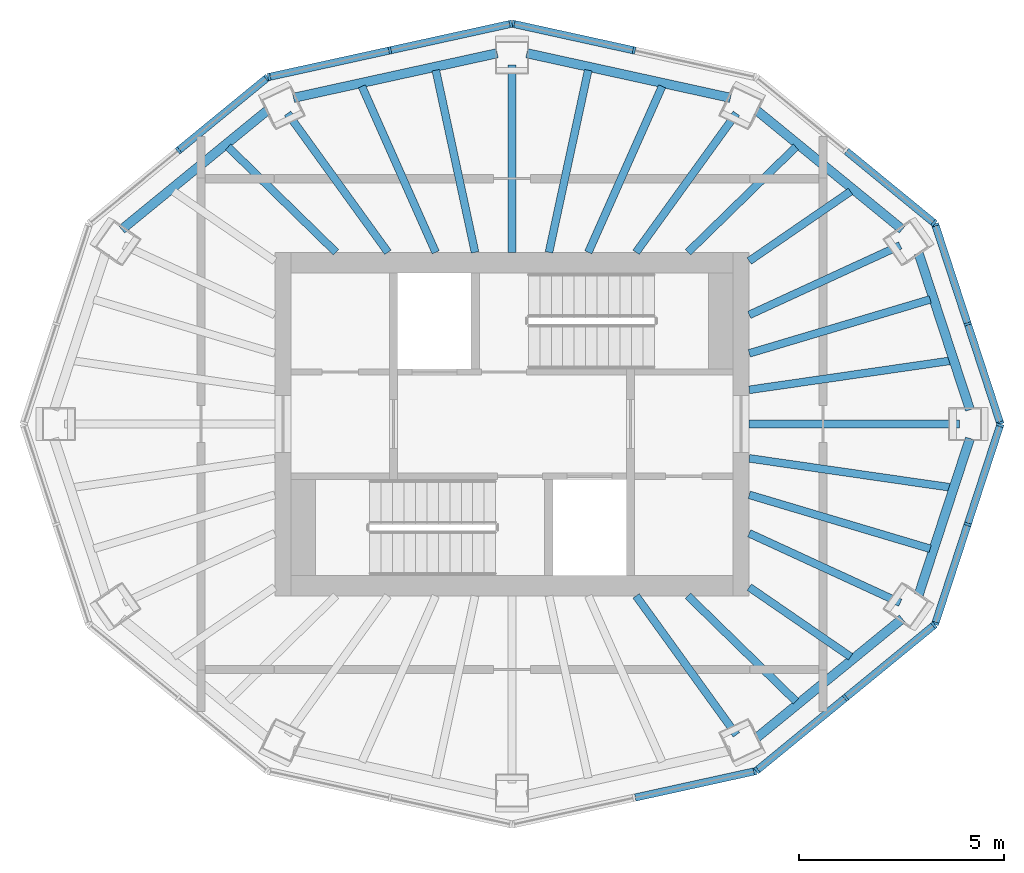
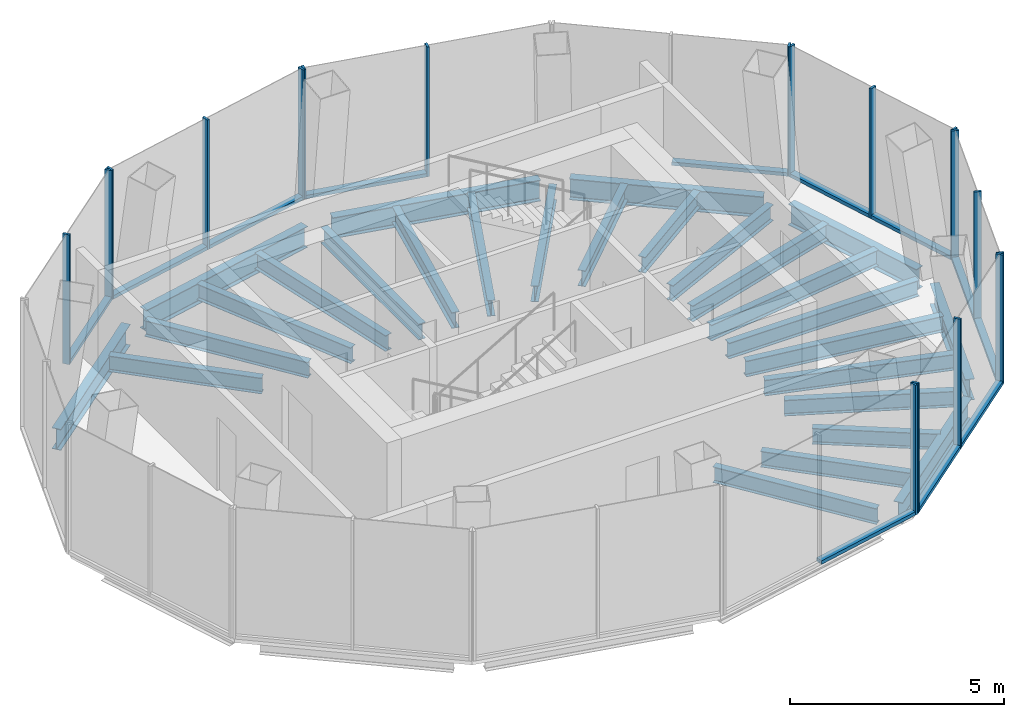
# One storey, part 2 of 5: 30 members, 27 beams, 8 elements without a shape of their own.
"""IFC4 building model written with IfcOpenShell, lengths in metres."""

import ifcopenshell
import ifcopenshell.guid

model = None  # the IFC model being written
_history = None  # IfcOwnerHistory: only IFC2X3 demands one
_inside = {}  # id of a spatial element -> (the spatial element, [elements in it])
_under = {}  # id of a project, library or spatial element -> (it, [spatial elements below it])
_declared = {}  # id of a project -> (the project, [libraries it declares])
_typed = {}  # id of a type object -> (the type object, [elements of that type])
_made_of = {}  # id of a material, layer set ... -> (it, [elements and type objects made of it])


def new_model(schema):
    """Start an empty IFC model of exactly this schema.

    Asked for "IFC4X3", IfcOpenShell would pick the latest addendum, in which some entities
    have other attributes; the version numbers below select the first issue.
    IFC2X3 requires an IfcOwnerHistory on every rooted entity: one is made here for all.
    """
    global model, _history
    if schema == "IFC4X3":
        model = ifcopenshell.file(schema_version=(4, 3, 0, 0))
    else:
        model = ifcopenshell.file(schema=schema)
    _inside.clear()
    _under.clear()
    _declared.clear()
    _typed.clear()
    _made_of.clear()
    _history = None
    if model.schema == "IFC2X3":
        org = make("IfcOrganization", Name="unknown")
        user = make(
            "IfcPersonAndOrganization",
            ThePerson=make("IfcPerson", FamilyName="unknown"),
            TheOrganization=org,
        )
        app = make(
            "IfcApplication",
            ApplicationDeveloper=org,
            Version="unknown",
            ApplicationFullName="unknown",
            ApplicationIdentifier="unknown",
        )
        _history = make(
            "IfcOwnerHistory",
            OwningUser=user,
            OwningApplication=app,
            ChangeAction="ADDED",
            CreationDate=0,
        )
    return model


def make(cls, **values):
    """One entity of the class cls with the attributes given. An attribute that is None is left unset."""
    return model.create_entity(
        cls, **{name: value for name, value in values.items() if value is not None}
    )


def rooted(cls, **values):
    """An entity with a GlobalId (a new one), such as an element, a storey or a relation."""
    return make(cls, GlobalId=ifcopenshell.guid.new(), OwnerHistory=_history, **values)


def si_unit(unit_type, name, prefix=None):
    """IfcSIUnit, for example si_unit("LENGTHUNIT", "METRE", prefix="MILLI")."""
    return make("IfcSIUnit", UnitType=unit_type, Prefix=prefix, Name=name)


def assignment(units):
    """IfcUnitAssignment: the units of a project."""
    return None if units is None else make("IfcUnitAssignment", Units=units)


def point(xyz):
    """IfcCartesianPoint."""
    return None if xyz is None else make("IfcCartesianPoint", Coordinates=xyz)


def direction(xyz):
    """IfcDirection."""
    return None if xyz is None else make("IfcDirection", DirectionRatios=xyz)


def frame(location, z_axis=None, x_axis=None):
    """IfcAxis2Placement3D, a coordinate frame: its origin and axes. An axis left out is left unset."""
    return make(
        "IfcAxis2Placement3D",
        Location=point(location),
        Axis=direction(z_axis),
        RefDirection=direction(x_axis),
    )


def frame_2d(location, x_axis=None):
    """IfcAxis2Placement2D, a coordinate frame in the plane: its origin and x axis."""
    return make(
        "IfcAxis2Placement2D", Location=point(location), RefDirection=direction(x_axis)
    )


def origin():
    """The frame at (0, 0, 0) with its axes left unset."""
    return frame((0.0, 0.0, 0.0))


def origin_2d():
    """The frame at (0, 0) in the plane with its x axis left unset."""
    return frame_2d((0.0, 0.0))


def place(relative_to, where):
    """IfcLocalPlacement: puts the frame where relative to a parent placement (None: the world)."""
    return make(
        "IfcLocalPlacement", PlacementRelTo=relative_to, RelativePlacement=where
    )


def context(
    kind, dimensions, precision=None, world=None, true_north=None, identifier=None
):
    """IfcGeometricRepresentationContext, for example the 3D "Model" context."""
    return make(
        "IfcGeometricRepresentationContext",
        ContextIdentifier=identifier,
        ContextType=kind,
        CoordinateSpaceDimension=dimensions,
        Precision=precision,
        WorldCoordinateSystem=world,
        TrueNorth=true_north,
    )


def subcontext(parent, identifier, kind, view, scale=None):
    """IfcGeometricRepresentationSubContext, for example "Body" below "Model"."""
    return make(
        "IfcGeometricRepresentationSubContext",
        ContextIdentifier=identifier,
        ContextType=kind,
        ParentContext=parent,
        TargetScale=scale,
        TargetView=view,
    )


def project(units=None, contexts=None):
    """IfcProject with its units and contexts."""
    return rooted(
        "IfcProject",
        Name="project",
        RepresentationContexts=contexts,
        UnitsInContext=assignment(units),
    )


def spatial(cls, under=None, at=None, **own):
    """A site, building, storey or space (cls), placed at a placement, below another one or the project."""
    s = rooted(cls, ObjectPlacement=at, **own)
    if under is not None:
        _under.setdefault(under.id(), (under, []))[1].append(s)
    return s


def profile(cls, at=None, kind="AREA", **sizes):
    """A parametric profile (cls). Its sizes go by their IFC names, for example OverallWidth=200.0."""
    return make(cls, ProfileType=kind, Position=at, **sizes)


def rectangle(**sizes):
    """IfcRectangleProfileDef."""
    return profile("IfcRectangleProfileDef", **sizes)


def i_section(**sizes):
    """IfcIShapeProfileDef."""
    return profile("IfcIShapeProfileDef", **sizes)


def extrude(swept, where, along, depth):
    """IfcExtrudedAreaSolid: the profile swept, set in the frame where, extruded along a direction by depth."""
    return make(
        "IfcExtrudedAreaSolid",
        SweptArea=swept,
        Position=where,
        ExtrudedDirection=direction(along),
        Depth=depth,
    )


def shape(context_of_items, identifier, shape_type, items):
    """IfcShapeRepresentation: the items that make up one representation, for example the "Body"."""
    return make(
        "IfcShapeRepresentation",
        ContextOfItems=context_of_items,
        RepresentationIdentifier=identifier,
        RepresentationType=shape_type,
        Items=items,
    )


def material(Name=None, Category=None):
    """IfcMaterial."""
    return make("IfcMaterial", Name=Name, Category=Category)


def layer(
    of_material, thickness, ventilated=None, Name=None, Category=None, Priority=None
):
    """IfcMaterialLayer: one layer of a wall or slab, of a material (None: an air gap)."""
    return make(
        "IfcMaterialLayer",
        Material=of_material,
        LayerThickness=thickness,
        IsVentilated=ventilated,
        Name=Name,
        Category=Category,
        Priority=Priority,
    )


def layer_set(layers, Name=None):
    """IfcMaterialLayerSet."""
    return make("IfcMaterialLayerSet", MaterialLayers=layers, LayerSetName=Name)


def material_profile(
    of_material, cross_section, Name=None, Category=None, Priority=None
):
    """IfcMaterialProfile: a cross section and its material."""
    return make(
        "IfcMaterialProfile",
        Name=Name,
        Material=of_material,
        Profile=cross_section,
        Priority=Priority,
        Category=Category,
    )


def profile_set(profiles, Name=None, composite=None):
    """IfcMaterialProfileSet."""
    return make(
        "IfcMaterialProfileSet",
        Name=Name,
        MaterialProfiles=profiles,
        CompositeProfile=composite,
    )


def made_of(thing, what):
    """Note that an element or type object is made of a material, layer set ...; save() writes the relation."""
    if what is not None:
        _made_of.setdefault(what.id(), (what, []))[1].append(thing)
    return thing


def type_object(cls, material=None, **own):
    """A type object (cls), such as IfcWallType, which elements share."""
    return made_of(rooted(cls, **own), material)


def element(
    cls,
    number,
    at=None,
    inside=None,
    cuts=None,
    type_object=None,
    material=None,
    context=None,
    identifier="Body",
    shape_type=None,
    held_by="IfcProductDefinitionShape",
    body=None,
    shapes=None,
    **own,
):
    """One element of the class cls, such as IfcWall. Its Tag is "e" and its number.

    at: its placement. inside: the storey or other place that contains it. cuts: it is an
    opening in that element (IfcRelVoidsElement). A single representation is given by context,
    identifier, shape_type and body (its items); several are given by shapes. held_by: the class
    of the entity that holds the representations. save() writes the other relations.
    """
    e = rooted(cls, Tag="e%d" % number, ObjectPlacement=at, **own)
    if body is not None:
        shapes = [shape(context, identifier, shape_type, body)]
    if shapes is not None:
        e.Representation = make(held_by, Representations=shapes)
    if inside is not None:
        _inside.setdefault(inside.id(), (inside, []))[1].append(e)
    if cuts is not None:
        rooted(
            "IfcRelVoidsElement", RelatingBuildingElement=cuts, RelatedOpeningElement=e
        )
    if type_object is not None:
        _typed.setdefault(type_object.id(), (type_object, []))[1].append(e)
    return made_of(e, material)


def aggregate(whole, parts):
    """IfcRelAggregates: a whole, such as a stair, and the parts it consists of."""
    return rooted("IfcRelAggregates", RelatingObject=whole, RelatedObjects=parts)


def save(model, path):
    """Write the relations noted so far, then the file.

    IfcRelAggregates (storeys below a building ...), IfcRelContainedInSpatialStructure (elements
    in a storey), IfcRelDefinesByType, IfcRelAssociatesMaterial and IfcRelDeclares: one each for
    every whole, place, type object, material and project.
    """
    for whole, parts in _under.values():
        aggregate(whole, parts)
    for where, things in _inside.values():
        rooted(
            "IfcRelContainedInSpatialStructure",
            RelatedElements=things,
            RelatingStructure=where,
        )
    for kind, things in _typed.values():
        rooted("IfcRelDefinesByType", RelatedObjects=things, RelatingType=kind)
    for what, things in _made_of.values():
        rooted("IfcRelAssociatesMaterial", RelatedObjects=things, RelatingMaterial=what)
    for by, libraries in _declared.values():
        rooted("IfcRelDeclares", RelatingContext=by, RelatedDefinitions=libraries)
    model.write(path)


model = new_model("IFC4")

# Units and contexts
model_context = context("Model", 3, precision=1e-05, world=origin(), true_north=direction((0.0, 1.0)))
body_context = subcontext(model_context, "Body", "Model", "MODEL_VIEW")
ifc_project = project(units=[si_unit("LENGTHUNIT", "METRE"), si_unit("AREAUNIT", "SQUARE_METRE"), si_unit("VOLUMEUNIT", "CUBIC_METRE"), si_unit("PLANEANGLEUNIT", "RADIAN"), si_unit("MASSUNIT", "GRAM", prefix="KILO")], contexts=[model_context])

# Site, building, storey
site_placement = place(None, origin())
site = spatial("IfcSite", under=ifc_project, at=site_placement, CompositionType="ELEMENT")
building_placement = place(site_placement, origin())
building = spatial("IfcBuilding", under=site, at=building_placement, Name="Siaravel Broadcast Tower", CompositionType="ELEMENT")
storey_placement = place(building_placement, frame((0.0, 0.0, 280.39990234375)))
storey = spatial("IfcBuildingStorey", under=building, at=storey_placement, Name="L68", CompositionType="ELEMENT", Elevation=280.39990234375)

# Curtain wall, members
ifc_material_1 = material(Name="Aluminium 6063-T6", Category="aluminium")
ifc_layer = layer(ifc_material_1, 0.179931640625)
ifc_layer_set = layer_set([ifc_layer], Name="Aluminium 6063-T6")
curtain_wall_type = type_object("IfcCurtainWallType", Name="Crown glass facet wall", PredefinedType="NOTDEFINED", material=ifc_layer_set)
curtain_wall_1_placement = place(storey_placement, origin())
curtain_wall_1 = element("IfcCurtainWall", 1, at=curtain_wall_1_placement, inside=storey, type_object=curtain_wall_type, Name="L68 Crown glass facet wall 01", PredefinedType="NOTDEFINED")
ifc_material_profile_1 = material_profile(ifc_material_1, rectangle(XDim=0.179931640625, YDim=0.06005859375, at=origin_2d()))
ifc_profile_set_1 = profile_set([ifc_material_profile_1], Name="Aluminium 6063-T6")
member_type_1 = type_object("IfcMemberType", Name="CW-CR mullion", PredefinedType="MULLION", material=ifc_profile_set_1)
member_1_placement = place(storey_placement, frame((11.93310546875, 0.028564453125, 0.0), z_axis=(0.0, 0.0, 1.0), x_axis=(-0.950456051, -0.310858963, 0.0)))
member_1 = element("IfcMember", 2, at=member_1_placement, type_object=member_type_1, Name="CW-CR mullion 1", PredefinedType="MULLION", context=body_context, shape_type="SweptSolid", body=[
    extrude(rectangle(XDim=0.179931640625, YDim=0.06005859375, at=origin_2d()), origin(), (0.0, 0.0, 1.0), 3.7001953125),
])
member_2_placement = place(storey_placement, frame((11.14111328125, 2.44970703125, 0.0), z_axis=(0.0, 0.0, 1.0), x_axis=(-0.950456051, -0.310858963, 0.0)))
member_2 = element("IfcMember", 3, at=member_2_placement, type_object=member_type_1, Name="CW-CR mullion 2", PredefinedType="MULLION", context=body_context, shape_type="SweptSolid", body=[
    extrude(rectangle(XDim=0.179931640625, YDim=0.06005859375, at=origin_2d()), origin(), (0.0, 0.0, 1.0), 3.7001953125),
])
member_3_placement = place(storey_placement, frame((10.34912109375, 4.870849609375, 0.0), z_axis=(0.0, 0.0, 1.0), x_axis=(-0.950456051, -0.310858963, 0.0)))
member_3 = element("IfcMember", 4, at=member_3_placement, type_object=member_type_1, Name="CW-CR mullion 3", PredefinedType="MULLION", context=body_context, shape_type="SweptSolid", body=[
    extrude(rectangle(XDim=0.179931640625, YDim=0.06005859375, at=origin_2d()), origin(), (0.0, 0.0, 1.0), 3.7001953125),
])

# Curtain wall, member
curtain_wall_2_placement = place(storey_placement, origin())
curtain_wall_2 = element("IfcCurtainWall", 5, at=curtain_wall_2_placement, inside=storey, type_object=curtain_wall_type, Name="L68 Crown glass facet wall 02", PredefinedType="NOTDEFINED")
member_4_placement = place(storey_placement, frame((10.316650390625, 4.91845703125, 0.0), z_axis=(0.0, 0.0, 1.0), x_axis=(-0.633713047, -0.773568209, 0.0)))
member_4 = element("IfcMember", 6, at=member_4_placement, type_object=member_type_1, Name="CW-CR mullion 1", PredefinedType="MULLION", context=body_context, shape_type="SweptSolid", body=[
    extrude(rectangle(XDim=0.179931640625, YDim=0.06005859375, at=origin_2d()), origin(), (0.0, 0.0, 1.0), 3.7001953125),
])

# Curtain wall, members
curtain_wall_3_placement = place(storey_placement, origin())
curtain_wall_3 = element("IfcCurtainWall", 7, at=curtain_wall_3_placement, inside=storey, type_object=curtain_wall_type, Name="L68 Crown glass facet wall 03", PredefinedType="NOTDEFINED")
member_5_placement = place(storey_placement, frame((2.98388671875, 9.13623046875, 0.0), z_axis=(0.0, 0.0, 1.0), x_axis=(-0.214394002, -0.976747261, 0.0)))
member_5 = element("IfcMember", 8, at=member_5_placement, type_object=member_type_1, Name="CW-CR mullion 2", PredefinedType="MULLION", context=body_context, shape_type="SweptSolid", body=[
    extrude(rectangle(XDim=0.179931640625, YDim=0.06005859375, at=origin_2d()), origin(), (0.0, 0.0, 1.0), 3.7001953125),
])
member_6_placement = place(storey_placement, frame((0.029296875, 9.78466796875, 0.0), z_axis=(0.0, 0.0, 1.0), x_axis=(-0.214394002, -0.976747261, 0.0)))
member_6 = element("IfcMember", 9, at=member_6_placement, type_object=member_type_1, Name="CW-CR mullion 3", PredefinedType="MULLION", context=body_context, shape_type="SweptSolid", body=[
    extrude(rectangle(XDim=0.179931640625, YDim=0.06005859375, at=origin_2d()), origin(), (0.0, 0.0, 1.0), 3.7001953125),
])

curtain_wall_4_placement = place(storey_placement, origin())
curtain_wall_4 = element("IfcCurtainWall", 10, at=curtain_wall_4_placement, inside=storey, type_object=curtain_wall_type, Name="L68 Crown glass facet wall 04", PredefinedType="NOTDEFINED")
member_7_placement = place(storey_placement, frame((-0.029296875, 9.78466796875, 0.0), z_axis=(0.0, 0.0, 1.0), x_axis=(0.214394002, -0.976747261, 0.0)))
member_7 = element("IfcMember", 11, at=member_7_placement, type_object=member_type_1, Name="CW-CR mullion 1", PredefinedType="MULLION", context=body_context, shape_type="SweptSolid", body=[
    extrude(rectangle(XDim=0.179931640625, YDim=0.06005859375, at=origin_2d()), origin(), (0.0, 0.0, 1.0), 3.7001953125),
])
member_8_placement = place(storey_placement, frame((-2.98388671875, 9.13623046875, 0.0), z_axis=(0.0, 0.0, 1.0), x_axis=(0.214394002, -0.976747261, 0.0)))
member_8 = element("IfcMember", 12, at=member_8_placement, type_object=member_type_1, Name="CW-CR mullion 2", PredefinedType="MULLION", context=body_context, shape_type="SweptSolid", body=[
    extrude(rectangle(XDim=0.179931640625, YDim=0.06005859375, at=origin_2d()), origin(), (0.0, 0.0, 1.0), 3.7001953125),
])
member_9_placement = place(storey_placement, frame((-5.938232421875, 8.48779296875, 0.0), z_axis=(0.0, 0.0, 1.0), x_axis=(0.214394002, -0.976747261, 0.0)))
member_9 = element("IfcMember", 13, at=member_9_placement, type_object=member_type_1, Name="CW-CR mullion 3", PredefinedType="MULLION", context=body_context, shape_type="SweptSolid", body=[
    extrude(rectangle(XDim=0.179931640625, YDim=0.06005859375, at=origin_2d()), origin(), (0.0, 0.0, 1.0), 3.7001953125),
])

curtain_wall_5_placement = place(storey_placement, origin())
curtain_wall_5 = element("IfcCurtainWall", 14, at=curtain_wall_5_placement, inside=storey, type_object=curtain_wall_type, Name="L68 Crown glass facet wall 05", PredefinedType="NOTDEFINED")
member_10_placement = place(storey_placement, frame((-5.99072265625, 8.462158203125, 0.0), z_axis=(0.0, 0.0, 1.0), x_axis=(0.633713047, -0.773568209, 0.0)))
member_10 = element("IfcMember", 15, at=member_10_placement, type_object=member_type_1, Name="CW-CR mullion 1", PredefinedType="MULLION", context=body_context, shape_type="SweptSolid", body=[
    extrude(rectangle(XDim=0.179931640625, YDim=0.06005859375, at=origin_2d()), origin(), (0.0, 0.0, 1.0), 3.7001953125),
])
member_11_placement = place(storey_placement, frame((-8.15380859375, 6.690185546875, 0.0), z_axis=(0.0, 0.0, 1.0), x_axis=(0.633713047, -0.773568209, 0.0)))
member_11 = element("IfcMember", 16, at=member_11_placement, type_object=member_type_1, Name="CW-CR mullion 2", PredefinedType="MULLION", context=body_context, shape_type="SweptSolid", body=[
    extrude(rectangle(XDim=0.179931640625, YDim=0.06005859375, at=origin_2d()), origin(), (0.0, 0.0, 1.0), 3.7001953125),
])

# Curtain wall, member
curtain_wall_6_placement = place(storey_placement, origin())
curtain_wall_6 = element("IfcCurtainWall", 17, at=curtain_wall_6_placement, inside=storey, type_object=curtain_wall_type, Name="L68 Crown glass facet wall 10", PredefinedType="NOTDEFINED")
member_12_placement = place(storey_placement, frame((5.938232421875, -8.48779296875, 0.0), z_axis=(0.0, 0.0, 1.0), x_axis=(-0.214394002, 0.976747261, 0.0)))
member_12 = element("IfcMember", 18, at=member_12_placement, type_object=member_type_1, Name="CW-CR mullion 3", PredefinedType="MULLION", context=body_context, shape_type="SweptSolid", body=[
    extrude(rectangle(XDim=0.179931640625, YDim=0.06005859375, at=origin_2d()), origin(), (0.0, 0.0, 1.0), 3.7001953125),
])

# Curtain wall, members
curtain_wall_7_placement = place(storey_placement, origin())
curtain_wall_7 = element("IfcCurtainWall", 19, at=curtain_wall_7_placement, inside=storey, type_object=curtain_wall_type, Name="L68 Crown glass facet wall 11", PredefinedType="NOTDEFINED")
member_13_placement = place(storey_placement, frame((5.99072265625, -8.462158203125, 0.0), z_axis=(0.0, 0.0, 1.0), x_axis=(-0.633713047, 0.773568209, 0.0)))
member_13 = element("IfcMember", 20, at=member_13_placement, type_object=member_type_1, Name="CW-CR mullion 1", PredefinedType="MULLION", context=body_context, shape_type="SweptSolid", body=[
    extrude(rectangle(XDim=0.179931640625, YDim=0.06005859375, at=origin_2d()), origin(), (0.0, 0.0, 1.0), 3.7001953125),
])
member_14_placement = place(storey_placement, frame((8.15380859375, -6.690185546875, 0.0), z_axis=(0.0, 0.0, 1.0), x_axis=(-0.633713047, 0.773568209, 0.0)))
member_14 = element("IfcMember", 21, at=member_14_placement, type_object=member_type_1, Name="CW-CR mullion 2", PredefinedType="MULLION", context=body_context, shape_type="SweptSolid", body=[
    extrude(rectangle(XDim=0.179931640625, YDim=0.06005859375, at=origin_2d()), origin(), (0.0, 0.0, 1.0), 3.7001953125),
])
member_15_placement = place(storey_placement, frame((10.316650390625, -4.91845703125, 0.0), z_axis=(0.0, 0.0, 1.0), x_axis=(-0.633713047, 0.773568209, 0.0)))
member_15 = element("IfcMember", 22, at=member_15_placement, type_object=member_type_1, Name="CW-CR mullion 3", PredefinedType="MULLION", context=body_context, shape_type="SweptSolid", body=[
    extrude(rectangle(XDim=0.179931640625, YDim=0.06005859375, at=origin_2d()), origin(), (0.0, 0.0, 1.0), 3.7001953125),
])

curtain_wall_8_placement = place(storey_placement, origin())
curtain_wall_8 = element("IfcCurtainWall", 23, at=curtain_wall_8_placement, inside=storey, type_object=curtain_wall_type, Name="L68 Crown glass facet wall 12", PredefinedType="NOTDEFINED")
member_16_placement = place(storey_placement, frame((10.34912109375, -4.870849609375, 0.0), z_axis=(0.0, 0.0, 1.0), x_axis=(-0.950456051, 0.310858963, 0.0)))
member_16 = element("IfcMember", 24, at=member_16_placement, type_object=member_type_1, Name="CW-CR mullion 1", PredefinedType="MULLION", context=body_context, shape_type="SweptSolid", body=[
    extrude(rectangle(XDim=0.179931640625, YDim=0.06005859375, at=origin_2d()), origin(), (0.0, 0.0, 1.0), 3.7001953125),
])
member_17_placement = place(storey_placement, frame((11.14111328125, -2.44970703125, 0.0), z_axis=(0.0, 0.0, 1.0), x_axis=(-0.950456051, 0.310858963, 0.0)))
member_17 = element("IfcMember", 25, at=member_17_placement, type_object=member_type_1, Name="CW-CR mullion 2", PredefinedType="MULLION", context=body_context, shape_type="SweptSolid", body=[
    extrude(rectangle(XDim=0.179931640625, YDim=0.06005859375, at=origin_2d()), origin(), (0.0, 0.0, 1.0), 3.7001953125),
])
member_18_placement = place(storey_placement, frame((11.93310546875, -0.028564453125, 0.0), z_axis=(0.0, 0.0, 1.0), x_axis=(-0.950456051, 0.310858963, 0.0)))
member_18 = element("IfcMember", 26, at=member_18_placement, type_object=member_type_1, Name="CW-CR mullion 3", PredefinedType="MULLION", context=body_context, shape_type="SweptSolid", body=[
    extrude(rectangle(XDim=0.179931640625, YDim=0.06005859375, at=origin_2d()), origin(), (0.0, 0.0, 1.0), 3.7001953125),
])

# Member
ifc_material_profile_2 = material_profile(ifc_material_1, rectangle(XDim=0.179931640625, YDim=0.10009765625, at=origin_2d()))
ifc_profile_set_2 = profile_set([ifc_material_profile_2], Name="Aluminium 6063-T6")
member_type_2 = type_object("IfcMemberType", Name="CW-CR transom", PredefinedType="USERDEFINED", material=ifc_profile_set_2)
member_19_placement = place(storey_placement, frame((11.923583984375, 0.056884765625, 0.050048828125), z_axis=(-0.310834346, 0.950464102, 0.0), x_axis=(-0.950464102, -0.310834346, 0.0)))
member_19 = element("IfcMember", 27, at=member_19_placement, type_object=member_type_2, Name="CW-CR transom 1", ObjectType="TRANSOM", PredefinedType="USERDEFINED", context=body_context, shape_type="SweptSolid", body=[
    extrude(rectangle(XDim=0.179931640625, YDim=0.10009765625, at=origin_2d()), origin(), (0.0, 0.0, 1.0), 2.487548828125),
])

member_20_placement = place(storey_placement, frame((11.1318359375, 2.478271484375, 0.050048828125), z_axis=(-0.310863345, 0.950454618, 0.0), x_axis=(-0.950454618, -0.310863345, 0.0)))
member_20 = element("IfcMember", 28, at=member_20_placement, type_object=member_type_2, Name="CW-CR transom 2", ObjectType="TRANSOM", PredefinedType="USERDEFINED", context=body_context, shape_type="SweptSolid", body=[
    extrude(rectangle(XDim=0.179931640625, YDim=0.10009765625, at=origin_2d()), origin(), (0.0, 0.0, 1.0), 2.4873046875),
])

aggregate(curtain_wall_1, [member_1, member_2, member_3, member_19, member_20])

member_21_placement = place(storey_placement, frame((10.29345703125, 4.9375, 0.050048828125), z_axis=(-0.773555598, 0.633728441, 0.0), x_axis=(-0.633728441, -0.773555598, 0.0)))
member_21 = element("IfcMember", 29, at=member_21_placement, type_object=member_type_2, Name="CW-CR transom 1", ObjectType="TRANSOM", PredefinedType="USERDEFINED", context=body_context, shape_type="SweptSolid", body=[
    extrude(rectangle(XDim=0.179931640625, YDim=0.10009765625, at=origin_2d()), origin(), (0.0, 0.0, 1.0), 2.736083984375),
])

aggregate(curtain_wall_2, [member_4, member_21])

member_22_placement = place(storey_placement, frame((2.95458984375, 9.142578125, 0.050048828125), z_axis=(-0.97674182, 0.214418791, 0.0), x_axis=(-0.214418791, -0.97674182, 0.0)))
member_22 = element("IfcMember", 30, at=member_22_placement, type_object=member_type_2, Name="CW-CR transom 2", ObjectType="TRANSOM", PredefinedType="USERDEFINED", context=body_context, shape_type="SweptSolid", body=[
    extrude(rectangle(XDim=0.179931640625, YDim=0.10009765625, at=origin_2d()), origin(), (0.0, 0.0, 1.0), 2.96484375),
])

aggregate(curtain_wall_3, [member_5, member_6, member_22])

member_23_placement = place(storey_placement, frame((-0.05859375, 9.7783203125, 0.050048828125), z_axis=(-0.97674182, -0.214418791, 0.0), x_axis=(0.214418791, -0.97674182, 0.0)))
member_23 = element("IfcMember", 31, at=member_23_placement, type_object=member_type_2, Name="CW-CR transom 1", ObjectType="TRANSOM", PredefinedType="USERDEFINED", context=body_context, shape_type="SweptSolid", body=[
    extrude(rectangle(XDim=0.179931640625, YDim=0.10009765625, at=origin_2d()), origin(), (0.0, 0.0, 1.0), 2.96484375),
])

member_24_placement = place(storey_placement, frame((-3.01318359375, 9.129638671875, 0.050048828125), z_axis=(-0.976755278, -0.214357473, 0.0), x_axis=(0.214357473, -0.976755278, 0.0)))
member_24 = element("IfcMember", 32, at=member_24_placement, type_object=member_type_2, Name="CW-CR transom 2", ObjectType="TRANSOM", PredefinedType="USERDEFINED", context=body_context, shape_type="SweptSolid", body=[
    extrude(rectangle(XDim=0.179931640625, YDim=0.10009765625, at=origin_2d()), origin(), (0.0, 0.0, 1.0), 2.964599609375),
])

aggregate(curtain_wall_4, [member_7, member_8, member_9, member_23, member_24])

member_25_placement = place(storey_placement, frame((-6.013916015625, 8.443115234375, 0.050048828125), z_axis=(-0.773591431, -0.633684699, 0.0), x_axis=(0.633684699, -0.773591431, 0.0)))
member_25 = element("IfcMember", 33, at=member_25_placement, type_object=member_type_2, Name="CW-CR transom 1", ObjectType="TRANSOM", PredefinedType="USERDEFINED", context=body_context, shape_type="SweptSolid", body=[
    extrude(rectangle(XDim=0.179931640625, YDim=0.10009765625, at=origin_2d()), origin(), (0.0, 0.0, 1.0), 2.736083984375),
])

aggregate(curtain_wall_5, [member_10, member_11, member_25])

member_26_placement = place(storey_placement, frame((3.01318359375, -9.129638671875, 0.050048828125), z_axis=(0.976755278, 0.214357473, 0.0), x_axis=(-0.214357473, 0.976755278, 0.0)))
member_26 = element("IfcMember", 34, at=member_26_placement, type_object=member_type_2, Name="CW-CR transom 2", ObjectType="TRANSOM", PredefinedType="USERDEFINED", context=body_context, shape_type="SweptSolid", body=[
    extrude(rectangle(XDim=0.179931640625, YDim=0.10009765625, at=origin_2d()), origin(), (0.0, 0.0, 1.0), 2.964599609375),
])

aggregate(curtain_wall_6, [member_12, member_26])

member_27_placement = place(storey_placement, frame((6.013916015625, -8.443115234375, 0.050048828125), z_axis=(0.773591431, 0.633684699, 0.0), x_axis=(-0.633684699, 0.773591431, 0.0)))
member_27 = element("IfcMember", 35, at=member_27_placement, type_object=member_type_2, Name="CW-CR transom 1", ObjectType="TRANSOM", PredefinedType="USERDEFINED", context=body_context, shape_type="SweptSolid", body=[
    extrude(rectangle(XDim=0.179931640625, YDim=0.10009765625, at=origin_2d()), origin(), (0.0, 0.0, 1.0), 2.736083984375),
])

member_28_placement = place(storey_placement, frame((8.177001953125, -6.67138671875, 0.050048828125), z_axis=(0.773555598, 0.633728441, 0.0), x_axis=(-0.633728441, 0.773555598, 0.0)))
member_28 = element("IfcMember", 36, at=member_28_placement, type_object=member_type_2, Name="CW-CR transom 2", ObjectType="TRANSOM", PredefinedType="USERDEFINED", context=body_context, shape_type="SweptSolid", body=[
    extrude(rectangle(XDim=0.179931640625, YDim=0.10009765625, at=origin_2d()), origin(), (0.0, 0.0, 1.0), 2.736083984375),
])

aggregate(curtain_wall_7, [member_13, member_14, member_15, member_27, member_28])

member_29_placement = place(storey_placement, frame((10.358642578125, -4.84228515625, 0.050048828125), z_axis=(0.310863345, 0.950454618, 0.0), x_axis=(-0.950454618, 0.310863345, 0.0)))
member_29 = element("IfcMember", 37, at=member_29_placement, type_object=member_type_2, Name="CW-CR transom 1", ObjectType="TRANSOM", PredefinedType="USERDEFINED", context=body_context, shape_type="SweptSolid", body=[
    extrude(rectangle(XDim=0.179931640625, YDim=0.10009765625, at=origin_2d()), origin(), (0.0, 0.0, 1.0), 2.4873046875),
])

member_30_placement = place(storey_placement, frame((11.150390625, -2.421142578125, 0.050048828125), z_axis=(0.310834346, 0.950464102, 0.0), x_axis=(-0.950464102, 0.310834346, 0.0)))
member_30 = element("IfcMember", 38, at=member_30_placement, type_object=member_type_2, Name="CW-CR transom 2", ObjectType="TRANSOM", PredefinedType="USERDEFINED", context=body_context, shape_type="SweptSolid", body=[
    extrude(rectangle(XDim=0.179931640625, YDim=0.10009765625, at=origin_2d()), origin(), (0.0, 0.0, 1.0), 2.487548828125),
])

aggregate(curtain_wall_8, [member_16, member_17, member_18, member_29, member_30])

# Beams
ifc_material_2 = material(Name="Steel S355", Category="steel")
ifc_material_profile_3 = material_profile(ifc_material_2, i_section(OverallWidth=0.18994140625, OverallDepth=0.453369140625, WebThickness=0.008544921875, FlangeThickness=0.0126953125, FilletRadius=0.01025390625, at=origin_2d()))
ifc_profile_set_3 = profile_set([ifc_material_profile_3], Name="Steel S355")
beam_type_1 = type_object("IfcBeamType", Name="Crown radial beam UB 457x191x67", PredefinedType="BEAM", material=ifc_profile_set_3)
beam_1_placement = place(storey_placement, frame((10.94091796875, 0.0, -0.426513671875), z_axis=(-1.0, 0.0, 0.0), x_axis=(0.0, -1.0, 0.0)))
element("IfcBeam", 39, at=beam_1_placement, inside=storey, type_object=beam_type_1, Name="Crown radial beam 3-01", PredefinedType="BEAM", context=body_context, shape_type="SweptSolid", body=[
    extrude(i_section(OverallWidth=0.18994140625, OverallDepth=0.453369140625, WebThickness=0.008544921875, FlangeThickness=0.0126953125, FilletRadius=0.01025390625, at=origin_2d()), origin(), (0.0, 0.0, 1.0), 5.140869140625),
])
beam_2_placement = place(storey_placement, frame((10.71630859375, 1.5478515625, -0.426513671875), z_axis=(-0.989726116, -0.142976276, 0.0), x_axis=(0.142976276, -0.989726116, 0.0)))
element("IfcBeam", 40, at=beam_2_placement, inside=storey, type_object=beam_type_1, Name="Crown radial beam 3-02", PredefinedType="BEAM", context=body_context, shape_type="SweptSolid", body=[
    extrude(i_section(OverallWidth=0.18994140625, OverallDepth=0.453369140625, WebThickness=0.008544921875, FlangeThickness=0.0126953125, FilletRadius=0.01025390625, at=origin_2d()), origin(), (0.0, 0.0, 1.0), 4.96728515625),
])
beam_3_placement = place(storey_placement, frame((10.22314453125, 3.0478515625, -0.426513671875), z_axis=(-0.958321304, -0.285692629, 0.0), x_axis=(0.285692629, -0.958321304, 0.0)))
element("IfcBeam", 41, at=beam_3_placement, inside=storey, type_object=beam_type_1, Name="Crown radial beam 3-03", PredefinedType="BEAM", context=body_context, shape_type="SweptSolid", body=[
    extrude(i_section(OverallWidth=0.18994140625, OverallDepth=0.453369140625, WebThickness=0.008544921875, FlangeThickness=0.0126953125, FilletRadius=0.01025390625, at=origin_2d()), origin(), (0.0, 0.0, 1.0), 4.615478515625),
])
beam_4_placement = place(storey_placement, frame((9.4912109375, 4.36865234375, -0.426513671875), z_axis=(-0.908393252, -0.418116849, 0.0), x_axis=(0.418116849, -0.908393252, 0.0)))
element("IfcBeam", 42, at=beam_4_placement, inside=storey, type_object=beam_type_1, Name="Crown radial beam 3-04", PredefinedType="BEAM", context=body_context, shape_type="SweptSolid", body=[
    extrude(i_section(OverallWidth=0.18994140625, OverallDepth=0.453369140625, WebThickness=0.008544921875, FlangeThickness=0.0126953125, FilletRadius=0.01025390625, at=origin_2d()), origin(), (0.0, 0.0, 1.0), 4.0634765625),
])
beam_5_placement = place(storey_placement, frame((8.27587890625, 5.688232421875, -0.426513671875), z_axis=(-0.824115423, -0.566421901, 0.0), x_axis=(0.566421901, -0.824115423, 0.0)))
element("IfcBeam", 43, at=beam_5_placement, inside=storey, type_object=beam_type_1, Name="Crown radial beam 3-05", PredefinedType="BEAM", context=body_context, shape_type="SweptSolid", body=[
    extrude(i_section(OverallWidth=0.18994140625, OverallDepth=0.453369140625, WebThickness=0.008544921875, FlangeThickness=0.0126953125, FilletRadius=0.01025390625, at=origin_2d()), origin(), (0.0, 0.0, 1.0), 3.004150390625),
])
beam_6_placement = place(storey_placement, frame((6.941162109375, 6.77587890625, -0.426513671875), z_axis=(-0.715563175, -0.698548025, 0.0), x_axis=(0.698548025, -0.715563175, 0.0)))
element("IfcBeam", 44, at=beam_6_placement, inside=storey, type_object=beam_type_1, Name="Crown radial beam 3-06", PredefinedType="BEAM", context=body_context, shape_type="SweptSolid", body=[
    extrude(i_section(OverallWidth=0.18994140625, OverallDepth=0.453369140625, WebThickness=0.008544921875, FlangeThickness=0.0126953125, FilletRadius=0.01025390625, at=origin_2d()), origin(), (0.0, 0.0, 1.0), 3.6875),
])
beam_7_placement = place(storey_placement, frame((5.486083984375, 7.59619140625, -0.426513671875), z_axis=(-0.585458637, -0.810702279, 0.0), x_axis=(0.810702279, -0.585458637, 0.0)))
element("IfcBeam", 45, at=beam_7_placement, inside=storey, type_object=beam_type_1, Name="Crown radial beam 3-07", PredefinedType="BEAM", context=body_context, shape_type="SweptSolid", body=[
    extrude(i_section(OverallWidth=0.18994140625, OverallDepth=0.453369140625, WebThickness=0.008544921875, FlangeThickness=0.0126953125, FilletRadius=0.01025390625, at=origin_2d()), origin(), (0.0, 0.0, 1.0), 4.189208984375),
])
beam_8_placement = place(storey_placement, frame((3.66943359375, 8.2578125, -0.426513671875), z_axis=(-0.406087452, -0.91383422, 0.0), x_axis=(0.91383422, -0.406087452, 0.0)))
element("IfcBeam", 46, at=beam_8_placement, inside=storey, type_object=beam_type_1, Name="Crown radial beam 3-08", PredefinedType="BEAM", context=body_context, shape_type="SweptSolid", body=[
    extrude(i_section(OverallWidth=0.18994140625, OverallDepth=0.453369140625, WebThickness=0.008544921875, FlangeThickness=0.0126953125, FilletRadius=0.01025390625, at=origin_2d()), origin(), (0.0, 0.0, 1.0), 4.4404296875),
])
beam_9_placement = place(storey_placement, frame((1.862548828125, 8.65234375, -0.426513671875), z_axis=(-0.210455193, -0.977603504, 0.0), x_axis=(0.977603504, -0.210455193, 0.0)))
element("IfcBeam", 47, at=beam_9_placement, inside=storey, type_object=beam_type_1, Name="Crown radial beam 3-09", PredefinedType="BEAM", context=body_context, shape_type="SweptSolid", body=[
    extrude(i_section(OverallWidth=0.18994140625, OverallDepth=0.453369140625, WebThickness=0.008544921875, FlangeThickness=0.0126953125, FilletRadius=0.01025390625, at=origin_2d()), origin(), (0.0, 0.0, 1.0), 4.554443359375),
])
beam_10_placement = place(storey_placement, frame((0.0, 8.7763671875, -0.426513671875), z_axis=(0.0, -1.0, 0.0), x_axis=(1.0, 0.0, 0.0)))
element("IfcBeam", 48, at=beam_10_placement, inside=storey, type_object=beam_type_1, Name="Crown radial beam 3-10", PredefinedType="BEAM", context=body_context, shape_type="SweptSolid", body=[
    extrude(i_section(OverallWidth=0.18994140625, OverallDepth=0.453369140625, WebThickness=0.008544921875, FlangeThickness=0.0126953125, FilletRadius=0.01025390625, at=origin_2d()), origin(), (0.0, 0.0, 1.0), 4.576416015625),
])
beam_11_placement = place(storey_placement, frame((-1.862548828125, 8.65234375, -0.426513671875), z_axis=(0.210455193, -0.977603504, 0.0), x_axis=(0.977603504, 0.210455193, 0.0)))
element("IfcBeam", 49, at=beam_11_placement, inside=storey, type_object=beam_type_1, Name="Crown radial beam 3-11", PredefinedType="BEAM", context=body_context, shape_type="SweptSolid", body=[
    extrude(i_section(OverallWidth=0.18994140625, OverallDepth=0.453369140625, WebThickness=0.008544921875, FlangeThickness=0.0126953125, FilletRadius=0.01025390625, at=origin_2d()), origin(), (0.0, 0.0, 1.0), 4.554443359375),
])
beam_12_placement = place(storey_placement, frame((-3.66943359375, 8.2578125, -0.426513671875), z_axis=(0.406087452, -0.91383422, 0.0), x_axis=(0.91383422, 0.406087452, 0.0)))
element("IfcBeam", 50, at=beam_12_placement, inside=storey, type_object=beam_type_1, Name="Crown radial beam 3-12", PredefinedType="BEAM", context=body_context, shape_type="SweptSolid", body=[
    extrude(i_section(OverallWidth=0.18994140625, OverallDepth=0.453369140625, WebThickness=0.008544921875, FlangeThickness=0.0126953125, FilletRadius=0.01025390625, at=origin_2d()), origin(), (0.0, 0.0, 1.0), 4.4404296875),
])
beam_13_placement = place(storey_placement, frame((-5.486083984375, 7.59619140625, -0.426513671875), z_axis=(0.585458637, -0.810702279, 0.0), x_axis=(0.810702279, 0.585458637, 0.0)))
element("IfcBeam", 51, at=beam_13_placement, inside=storey, type_object=beam_type_1, Name="Crown radial beam 3-13", PredefinedType="BEAM", context=body_context, shape_type="SweptSolid", body=[
    extrude(i_section(OverallWidth=0.18994140625, OverallDepth=0.453369140625, WebThickness=0.008544921875, FlangeThickness=0.0126953125, FilletRadius=0.01025390625, at=origin_2d()), origin(), (0.0, 0.0, 1.0), 4.189208984375),
])
beam_14_placement = place(storey_placement, frame((-6.941162109375, 6.77587890625, -0.426513671875), z_axis=(0.715563175, -0.698548025, 0.0), x_axis=(0.698548025, 0.715563175, 0.0)))
element("IfcBeam", 52, at=beam_14_placement, inside=storey, type_object=beam_type_1, Name="Crown radial beam 3-14", PredefinedType="BEAM", context=body_context, shape_type="SweptSolid", body=[
    extrude(i_section(OverallWidth=0.18994140625, OverallDepth=0.453369140625, WebThickness=0.008544921875, FlangeThickness=0.0126953125, FilletRadius=0.01025390625, at=origin_2d()), origin(), (0.0, 0.0, 1.0), 3.6875),
])
beam_15_placement = place(storey_placement, frame((5.486083984375, -7.59619140625, -0.426513671875), z_axis=(-0.585458637, 0.810702279, 0.0), x_axis=(-0.810702279, -0.585458637, 0.0)))
element("IfcBeam", 53, at=beam_15_placement, inside=storey, type_object=beam_type_1, Name="Crown radial beam 3-31", PredefinedType="BEAM", context=body_context, shape_type="SweptSolid", body=[
    extrude(i_section(OverallWidth=0.18994140625, OverallDepth=0.453369140625, WebThickness=0.008544921875, FlangeThickness=0.0126953125, FilletRadius=0.01025390625, at=origin_2d()), origin(), (0.0, 0.0, 1.0), 4.189208984375),
])
beam_16_placement = place(storey_placement, frame((6.941162109375, -6.77587890625, -0.426513671875), z_axis=(-0.715563175, 0.698548025, 0.0), x_axis=(-0.698548025, -0.715563175, 0.0)))
element("IfcBeam", 54, at=beam_16_placement, inside=storey, type_object=beam_type_1, Name="Crown radial beam 3-32", PredefinedType="BEAM", context=body_context, shape_type="SweptSolid", body=[
    extrude(i_section(OverallWidth=0.18994140625, OverallDepth=0.453369140625, WebThickness=0.008544921875, FlangeThickness=0.0126953125, FilletRadius=0.01025390625, at=origin_2d()), origin(), (0.0, 0.0, 1.0), 3.6875),
])
beam_17_placement = place(storey_placement, frame((8.27587890625, -5.688232421875, -0.426513671875), z_axis=(-0.824115423, 0.566421901, 0.0), x_axis=(-0.566421901, -0.824115423, 0.0)))
element("IfcBeam", 55, at=beam_17_placement, inside=storey, type_object=beam_type_1, Name="Crown radial beam 3-33", PredefinedType="BEAM", context=body_context, shape_type="SweptSolid", body=[
    extrude(i_section(OverallWidth=0.18994140625, OverallDepth=0.453369140625, WebThickness=0.008544921875, FlangeThickness=0.0126953125, FilletRadius=0.01025390625, at=origin_2d()), origin(), (0.0, 0.0, 1.0), 3.004150390625),
])
beam_18_placement = place(storey_placement, frame((9.4912109375, -4.36865234375, -0.426513671875), z_axis=(-0.908393252, 0.418116849, 0.0), x_axis=(-0.418116849, -0.908393252, 0.0)))
element("IfcBeam", 56, at=beam_18_placement, inside=storey, type_object=beam_type_1, Name="Crown radial beam 3-34", PredefinedType="BEAM", context=body_context, shape_type="SweptSolid", body=[
    extrude(i_section(OverallWidth=0.18994140625, OverallDepth=0.453369140625, WebThickness=0.008544921875, FlangeThickness=0.0126953125, FilletRadius=0.01025390625, at=origin_2d()), origin(), (0.0, 0.0, 1.0), 4.0634765625),
])
beam_19_placement = place(storey_placement, frame((10.22314453125, -3.0478515625, -0.426513671875), z_axis=(-0.958321304, 0.285692629, 0.0), x_axis=(-0.285692629, -0.958321304, 0.0)))
element("IfcBeam", 57, at=beam_19_placement, inside=storey, type_object=beam_type_1, Name="Crown radial beam 3-35", PredefinedType="BEAM", context=body_context, shape_type="SweptSolid", body=[
    extrude(i_section(OverallWidth=0.18994140625, OverallDepth=0.453369140625, WebThickness=0.008544921875, FlangeThickness=0.0126953125, FilletRadius=0.01025390625, at=origin_2d()), origin(), (0.0, 0.0, 1.0), 4.615478515625),
])
beam_20_placement = place(storey_placement, frame((10.71630859375, -1.5478515625, -0.426513671875), z_axis=(-0.989726116, 0.142976276, 0.0), x_axis=(-0.142976276, -0.989726116, 0.0)))
element("IfcBeam", 58, at=beam_20_placement, inside=storey, type_object=beam_type_1, Name="Crown radial beam 3-36", PredefinedType="BEAM", context=body_context, shape_type="SweptSolid", body=[
    extrude(i_section(OverallWidth=0.18994140625, OverallDepth=0.453369140625, WebThickness=0.008544921875, FlangeThickness=0.0126953125, FilletRadius=0.01025390625, at=origin_2d()), origin(), (0.0, 0.0, 1.0), 4.96728515625),
])
ifc_material_profile_4 = material_profile(ifc_material_2, i_section(OverallWidth=0.2275390625, OverallDepth=0.6025390625, WebThickness=0.010498046875, FlangeThickness=0.014892578125, FilletRadius=0.0126953125, at=origin_2d()))
ifc_profile_set_4 = profile_set([ifc_material_profile_4], Name="Steel S355")
beam_type_2 = type_object("IfcBeamType", Name="Crown ring beam UB 610x229x101", PredefinedType="SPANDREL", material=ifc_profile_set_4)
beam_21_placement = place(storey_placement, frame((11.195556640625, 0.3515625, -0.501220703125), z_axis=(-0.311633362, 0.950202425, 0.0), x_axis=(-0.950202425, -0.311633362, 0.0)))
element("IfcBeam", 59, at=beam_21_placement, inside=storey, type_object=beam_type_2, Name="Crown ring beam 3-01", PredefinedType="SPANDREL", context=body_context, shape_type="SweptSolid", body=[
    extrude(i_section(OverallWidth=0.2275390625, OverallDepth=0.6025390625, WebThickness=0.010498046875, FlangeThickness=0.014892578125, FilletRadius=0.0126953125, at=origin_2d()), origin(), (0.0, 0.0, 1.0), 4.0205078125),
])
beam_22_placement = place(storey_placement, frame((9.541015625, 4.757568359375, -0.501220703125), z_axis=(-0.774137453, 0.633017538, 0.0), x_axis=(-0.633017538, -0.774137453, 0.0)))
element("IfcBeam", 60, at=beam_22_placement, inside=storey, type_object=beam_type_2, Name="Crown ring beam 3-02", PredefinedType="SPANDREL", context=body_context, shape_type="SweptSolid", body=[
    extrude(i_section(OverallWidth=0.2275390625, OverallDepth=0.6025390625, WebThickness=0.010498046875, FlangeThickness=0.014892578125, FilletRadius=0.0126953125, at=origin_2d()), origin(), (0.0, 0.0, 1.0), 4.588134765625),
])
for number, where, z_axis, x_axis, name in (
    (61, (5.34130859375, 7.975341796875, -0.501220703125), (-0.976800567, 0.214151002, 0.0), (-0.214151002, -0.976800567, 0.0), "Crown ring beam 3-03"),
    (62, (-0.361328125, 9.067138671875, -0.501220703125), (-0.976800567, -0.214151002, 0.0), (0.214151002, -0.976800567, 0.0), "Crown ring beam 3-04"),
):
    element("IfcBeam", number, at=place(storey_placement, frame(where, z_axis=z_axis, x_axis=x_axis)), inside=storey, type_object=beam_type_2, Name=name, PredefinedType="SPANDREL", context=body_context, shape_type="SweptSolid", body=[
        extrude(i_section(OverallWidth=0.2275390625, OverallDepth=0.6025390625, WebThickness=0.010498046875, FlangeThickness=0.014892578125, FilletRadius=0.0126953125, at=origin_2d()), origin(), (0.0, 0.0, 1.0), 5.09814453125),
    ])
for number, where, z_axis, x_axis, name in (
    (63, (-5.9892578125, 7.661865234375, -0.501220703125), (-0.774137453, -0.633017538, 0.0), (0.633017538, -0.774137453, 0.0), "Crown ring beam 3-05"),
    (64, (5.9892578125, -7.661865234375, -0.501220703125), (0.774137453, 0.633017538, 0.0), (-0.633017538, 0.774137453, 0.0), "Crown ring beam 3-11"),
):
    element("IfcBeam", number, at=place(storey_placement, frame(where, z_axis=z_axis, x_axis=x_axis)), inside=storey, type_object=beam_type_2, Name=name, PredefinedType="SPANDREL", context=body_context, shape_type="SweptSolid", body=[
        extrude(i_section(OverallWidth=0.2275390625, OverallDepth=0.6025390625, WebThickness=0.010498046875, FlangeThickness=0.014892578125, FilletRadius=0.0126953125, at=origin_2d()), origin(), (0.0, 0.0, 1.0), 4.588134765625),
    ])
beam_23_placement = place(storey_placement, frame((9.942626953125, -4.171875, -0.501220703125), z_axis=(0.311633362, 0.950202425, 0.0), x_axis=(-0.950202425, 0.311633362, 0.0)))
element("IfcBeam", 65, at=beam_23_placement, inside=storey, type_object=beam_type_2, Name="Crown ring beam 3-12", PredefinedType="SPANDREL", context=body_context, shape_type="SweptSolid", body=[
    extrude(i_section(OverallWidth=0.2275390625, OverallDepth=0.6025390625, WebThickness=0.010498046875, FlangeThickness=0.014892578125, FilletRadius=0.0126953125, at=origin_2d()), origin(), (0.0, 0.0, 1.0), 4.0205078125),
])

save(model, "model.ifc")
